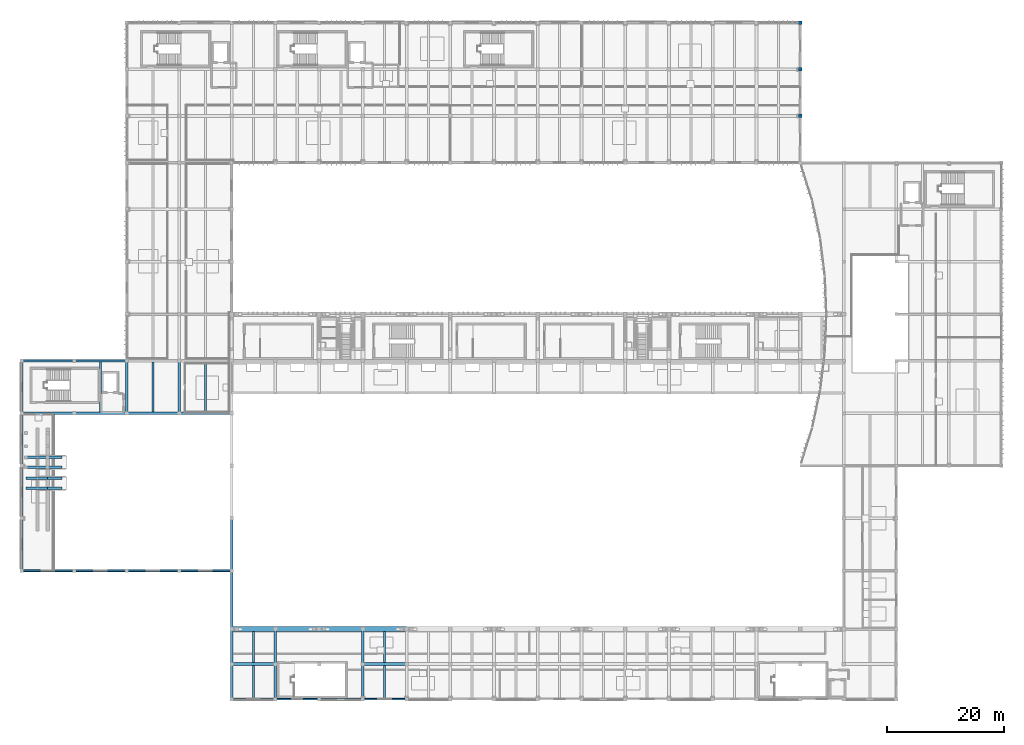
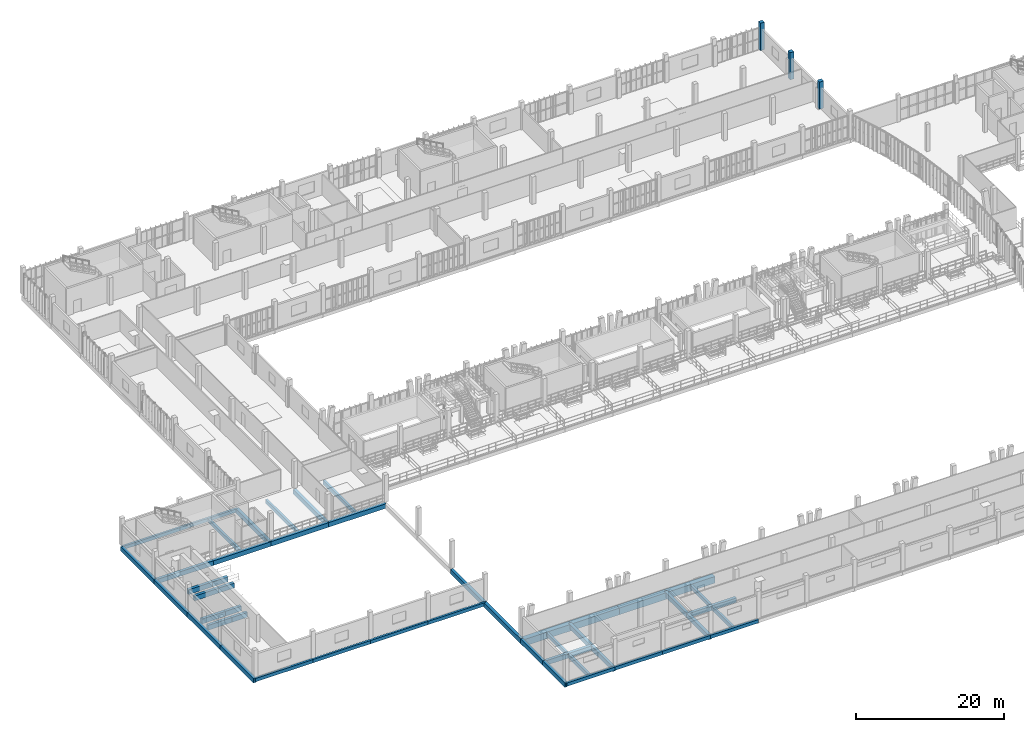
# One storey, part 7 of 81: 49 beams, 3 columns.
"""IFC4 building model written with IfcOpenShell, lengths in metres."""

from ifc_helpers import new_model, si_unit, direction, frame, origin, origin_2d, place, context, subcontext, project, spatial, rectangle, extrude, material, material_profile, profile_set, type_object, element, save


model = new_model("IFC4")

# Units and contexts
model_context = context("Model", 3, precision=1e-05, world=origin(), true_north=direction((0.0, 1.0)))
body_context = subcontext(model_context, "Body", "Model", "MODEL_VIEW")
ifc_project = project(units=[si_unit("LENGTHUNIT", "METRE"), si_unit("AREAUNIT", "SQUARE_METRE"), si_unit("VOLUMEUNIT", "CUBIC_METRE"), si_unit("PLANEANGLEUNIT", "RADIAN"), si_unit("MASSUNIT", "GRAM", prefix="KILO")], contexts=[model_context])

# Site, building, storey
site_placement = place(None, origin())
site = spatial("IfcSite", under=ifc_project, at=site_placement, CompositionType="ELEMENT")
building_placement = place(site_placement, origin())
building = spatial("IfcBuilding", under=site, at=building_placement, Name="Vourika Railside Aquatics Centre", CompositionType="ELEMENT")
storey_placement = place(building_placement, frame((0.0, 0.0, 4.800048828125)))
storey = spatial("IfcBuildingStorey", under=building, at=storey_placement, Name="L01", CompositionType="ELEMENT", Elevation=4.800048828125)

# Columns
ifc_material_1 = material(Name="Concrete C40/50", Category="concrete")
ifc_material_profile_1 = material_profile(ifc_material_1, rectangle(XDim=0.60009765625, YDim=0.60009765625, at=origin_2d()), Name="RC 600x600")
ifc_profile_set_1 = profile_set([ifc_material_profile_1], Name="Concrete C40/50")
column_type = type_object("IfcColumnType", Name="COL-RC600", PredefinedType="COLUMN", material=ifc_profile_set_1)
for number, where, z_axis, x_axis, name in (
    (1, (133.5, 100.0, 0.0), (0.0, 0.0, 1.0), (1.0, 0.0, 0.0), "Column col:L01:1335_1000"),
    (2, (133.5, 108.0, 0.0), (0.0, 0.0, 1.0), (1.0, 0.0, 0.0), "Column col:L01:1335_1080"),
    (3, (133.5, 116.0, 0.0), (0.0, 0.0, 1.0), (1.0, 0.0, 0.0), "Column col:L01:1335_1160"),
):
    element("IfcColumn", number, at=place(storey_placement, frame(where, z_axis=z_axis, x_axis=x_axis)), inside=storey, type_object=column_type, Name=name, PredefinedType="COLUMN", context=body_context, shape_type="SweptSolid", body=[
        extrude(rectangle(XDim=0.60009765625, YDim=0.60009765625, at=origin_2d()), origin(), (0.0, 0.0, 1.0), 4.5),
    ])

# Beams
ifc_material_2 = material(Name="Concrete C35/45", Category="concrete")
ifc_material_profile_2 = material_profile(ifc_material_2, rectangle(XDim=0.449951171875, YDim=0.75, at=origin_2d()), Name="RC 450x750")
ifc_profile_set_2 = profile_set([ifc_material_profile_2], Name="Concrete C35/45")
beam_type_1 = type_object("IfcBeamType", Name="BM-GIRD-450x750", PredefinedType="BEAM", material=ifc_profile_set_2)
for number, where, z_axis, x_axis, name in (
    (4, (36.0, 6.0, -0.675048828125), (1.0, 0.0, 0.0), (0.0, 1.0, 0.0), "Floor Beam GX-L01-016"),
    (5, (58.5, 6.0, -0.675048828125), (1.0, 0.0, 0.0), (0.0, 1.0, 0.0), "Floor Beam GX-L01-017"),
):
    element("IfcBeam", number, at=place(storey_placement, frame(where, z_axis=z_axis, x_axis=x_axis)), inside=storey, type_object=beam_type_1, Name=name, PredefinedType="BEAM", context=body_context, shape_type="SweptSolid", body=[
        extrude(rectangle(XDim=0.449951171875, YDim=0.75, at=origin_2d()), origin(), (0.0, 0.0, 1.0), 7.5),
    ])
for number, where, z_axis, x_axis, name in (
    (6, (0.0, 49.0, -0.675048828125), (1.0, 0.0, 0.0), (0.0, 1.0, 0.0), "Floor Beam GX-L01-051"),
    (7, (9.0, 49.0, -0.675048828125), (1.0, 0.0, 0.0), (0.0, 1.0, 0.0), "Floor Beam GX-L01-052"),
    (8, (18.0, 49.0, -0.675048828125), (1.0, 0.0, 0.0), (0.0, 1.0, 0.0), "Floor Beam GX-L01-053"),
    (9, (27.0, 49.0, -0.675048828125), (1.0, 0.0, 0.0), (0.0, 1.0, 0.0), "Floor Beam GX-L01-054"),
    (10, (0.0, 22.0, -0.675048828125), (0.0, 1.0, 0.0), (-1.0, 0.0, 0.0), "Floor Girder GY-L01-169"),
    (11, (0.0, 31.0, -0.675048828125), (0.0, 1.0, 0.0), (-1.0, 0.0, 0.0), "Floor Girder GY-L01-170"),
    (12, (0.0, 40.0, -0.675048828125), (0.0, 1.0, 0.0), (-1.0, 0.0, 0.0), "Floor Girder GY-L01-171"),
    (13, (0.0, 49.0, -0.675048828125), (0.0, 1.0, 0.0), (-1.0, 0.0, 0.0), "Floor Girder GY-L01-172"),
    (14, (18.0, 49.0, -0.675048828125), (0.0, 1.0, 0.0), (-1.0, 0.0, 0.0), "Floor Girder GY-L01-173"),
    (15, (27.0, 49.0, -0.675048828125), (0.0, 1.0, 0.0), (-1.0, 0.0, 0.0), "Floor Girder GY-L01-181"),
):
    element("IfcBeam", number, at=place(storey_placement, frame(where, z_axis=z_axis, x_axis=x_axis)), inside=storey, type_object=beam_type_1, Name=name, PredefinedType="BEAM", context=body_context, shape_type="SweptSolid", body=[
        extrude(rectangle(XDim=0.449951171875, YDim=0.75, at=origin_2d()), origin(), (0.0, 0.0, 1.0), 9.0),
    ])
for number, where, z_axis, x_axis, name in (
    (16, (36.0, 0.0, -0.675048828125), (0.0, 1.0, 0.0), (-1.0, 0.0, 0.0), "Floor Girder GY-L01-188"),
    (17, (36.0, 6.0, -0.675048828125), (0.0, 1.0, 0.0), (-1.0, 0.0, 0.0), "Floor Girder GY-L01-189"),
):
    element("IfcBeam", number, at=place(storey_placement, frame(where, z_axis=z_axis, x_axis=x_axis)), inside=storey, type_object=beam_type_1, Name=name, PredefinedType="BEAM", context=body_context, shape_type="SweptSolid", body=[
        extrude(rectangle(XDim=0.449951171875, YDim=0.75, at=origin_2d()), origin(), (0.0, 0.0, 1.0), 6.0),
    ])
beam_1_placement = place(storey_placement, frame((36.0, 12.0, -0.675048828125), z_axis=(0.0, 1.0, 0.0), x_axis=(-1.0, 0.0, 0.0)))
element("IfcBeam", 18, at=beam_1_placement, inside=storey, type_object=beam_type_1, Name="Floor Girder GY-L01-190", PredefinedType="BEAM", context=body_context, shape_type="SweptSolid", body=[
    extrude(rectangle(XDim=0.449951171875, YDim=0.75, at=origin_2d()), origin(), (0.0, 0.0, 1.0), 10.0),
])
beam_2_placement = place(storey_placement, frame((36.0, 22.0, -0.675048828125), z_axis=(0.0, 1.0, 0.0), x_axis=(-1.0, 0.0, 0.0)))
element("IfcBeam", 19, at=beam_2_placement, inside=storey, type_object=beam_type_1, Name="Floor Girder GY-L01-191", PredefinedType="BEAM", context=body_context, shape_type="SweptSolid", body=[
    extrude(rectangle(XDim=0.449951171875, YDim=0.75, at=origin_2d()), origin(), (0.0, 0.0, 1.0), 9.0),
])
for number, where, z_axis, x_axis, name in (
    (20, (43.5, 0.0, -0.675048828125), (0.0, 1.0, 0.0), (-1.0, 0.0, 0.0), "Floor Girder GY-L01-202"),
    (21, (43.5, 6.0, -0.675048828125), (0.0, 1.0, 0.0), (-1.0, 0.0, 0.0), "Floor Girder GY-L01-203"),
    (22, (58.5, 0.0, -0.675048828125), (0.0, 1.0, 0.0), (-1.0, 0.0, 0.0), "Floor Girder GY-L01-210"),
    (23, (58.5, 6.0, -0.675048828125), (0.0, 1.0, 0.0), (-1.0, 0.0, 0.0), "Floor Girder GY-L01-211"),
):
    element("IfcBeam", number, at=place(storey_placement, frame(where, z_axis=z_axis, x_axis=x_axis)), inside=storey, type_object=beam_type_1, Name=name, PredefinedType="BEAM", context=body_context, shape_type="SweptSolid", body=[
        extrude(rectangle(XDim=0.449951171875, YDim=0.75, at=origin_2d()), origin(), (0.0, 0.0, 1.0), 6.0),
    ])
ifc_material_profile_3 = material_profile(ifc_material_2, rectangle(XDim=0.449951171875, YDim=0.800048828125, at=origin_2d()), Name="RC 450x800")
ifc_profile_set_3 = profile_set([ifc_material_profile_3], Name="Concrete C35/45")
beam_type_2 = type_object("IfcBeamType", Name="BM-RAKER-450x800", PredefinedType="BEAM", material=ifc_profile_set_3)
beam_3_placement = place(storey_placement, frame((0.719970703125, 36.14990234375, -0.7099609375), z_axis=(1.0, 0.0, 0.0), x_axis=(0.0, 1.0, 0.0)))
element("IfcBeam", 24, at=beam_3_placement, inside=storey, type_object=beam_type_2, Name="Diving Platform 5.0 m Back-Span Beam 1", PredefinedType="BEAM", context=body_context, shape_type="SweptSolid", body=[
    extrude(rectangle(XDim=0.449951171875, YDim=0.800048828125, at=origin_2d()), origin(), (0.0, 0.0, 1.0), 3.72998046875),
])
beam_4_placement = place(storey_placement, frame((4.449951171875, 36.14990234375, -0.7099609375), z_axis=(1.0, 0.0, 0.0), x_axis=(0.0, 1.0, 0.0)))
element("IfcBeam", 25, at=beam_4_placement, inside=storey, type_object=beam_type_2, Name="Diving Platform 5.0 m Cantilever Bracket Beam 1", PredefinedType="BEAM", context=body_context, shape_type="SweptSolid", body=[
    extrude(rectangle(XDim=0.449951171875, YDim=0.800048828125, at=origin_2d()), origin(), (0.0, 0.0, 1.0), 2.449951171875),
])
beam_5_placement = place(storey_placement, frame((0.719970703125, 37.85009765625, -0.7099609375), z_axis=(1.0, 0.0, 0.0), x_axis=(0.0, 1.0, 0.0)))
element("IfcBeam", 26, at=beam_5_placement, inside=storey, type_object=beam_type_2, Name="Diving Platform 5.0 m Back-Span Beam 2", PredefinedType="BEAM", context=body_context, shape_type="SweptSolid", body=[
    extrude(rectangle(XDim=0.449951171875, YDim=0.800048828125, at=origin_2d()), origin(), (0.0, 0.0, 1.0), 3.72998046875),
])
beam_6_placement = place(storey_placement, frame((4.449951171875, 37.85009765625, -0.7099609375), z_axis=(1.0, 0.0, 0.0), x_axis=(0.0, 1.0, 0.0)))
element("IfcBeam", 27, at=beam_6_placement, inside=storey, type_object=beam_type_2, Name="Diving Platform 5.0 m Cantilever Bracket Beam 2", PredefinedType="BEAM", context=body_context, shape_type="SweptSolid", body=[
    extrude(rectangle(XDim=0.449951171875, YDim=0.800048828125, at=origin_2d()), origin(), (0.0, 0.0, 1.0), 2.449951171875),
])
beam_7_placement = place(storey_placement, frame((0.719970703125, 39.75, 1.9599609375), z_axis=(1.0, 0.0, 0.0), x_axis=(0.0, 1.0, 0.0)))
element("IfcBeam", 28, at=beam_7_placement, inside=storey, type_object=beam_type_2, Name="Diving Platform 7.5 m Back-Span Beam 1", PredefinedType="BEAM", context=body_context, shape_type="SweptSolid", body=[
    extrude(rectangle(XDim=0.449951171875, YDim=0.800048828125, at=origin_2d()), origin(), (0.0, 0.0, 1.0), 3.72998046875),
])
beam_8_placement = place(storey_placement, frame((4.449951171875, 39.75, 1.9599609375), z_axis=(1.0, 0.0, 0.0), x_axis=(0.0, 1.0, 0.0)))
element("IfcBeam", 29, at=beam_8_placement, inside=storey, type_object=beam_type_2, Name="Diving Platform 7.5 m Cantilever Bracket Beam 1", PredefinedType="BEAM", context=body_context, shape_type="SweptSolid", body=[
    extrude(rectangle(XDim=0.449951171875, YDim=0.800048828125, at=origin_2d()), origin(), (0.0, 0.0, 1.0), 2.449951171875),
])
beam_9_placement = place(storey_placement, frame((0.719970703125, 41.449951171875, 1.9599609375), z_axis=(1.0, 0.0, 0.0), x_axis=(0.0, 1.0, 0.0)))
element("IfcBeam", 30, at=beam_9_placement, inside=storey, type_object=beam_type_2, Name="Diving Platform 7.5 m Back-Span Beam 2", PredefinedType="BEAM", context=body_context, shape_type="SweptSolid", body=[
    extrude(rectangle(XDim=0.449951171875, YDim=0.800048828125, at=origin_2d()), origin(), (0.0, 0.0, 1.0), 3.72998046875),
])
beam_10_placement = place(storey_placement, frame((4.449951171875, 41.449951171875, 1.9599609375), z_axis=(1.0, 0.0, 0.0), x_axis=(0.0, 1.0, 0.0)))
element("IfcBeam", 31, at=beam_10_placement, inside=storey, type_object=beam_type_2, Name="Diving Platform 7.5 m Cantilever Bracket Beam 2", PredefinedType="BEAM", context=body_context, shape_type="SweptSolid", body=[
    extrude(rectangle(XDim=0.449951171875, YDim=0.800048828125, at=origin_2d()), origin(), (0.0, 0.0, 1.0), 2.449951171875),
])
ifc_material_profile_4 = material_profile(ifc_material_1, rectangle(XDim=0.800048828125, YDim=1.10009765625, at=origin_2d()), Name="RC 800x1100")
ifc_profile_set_4 = profile_set([ifc_material_profile_4], Name="Concrete C40/50")
beam_type_3 = type_object("IfcBeamType", Name="BM-RING-800x1100", PredefinedType="BEAM", material=ifc_profile_set_4)
for number, where, z_axis, x_axis, name in (
    (32, (36.0, 12.0, -0.85009765625), (1.0, 0.0, 0.0), (0.0, 1.0, 0.0), "Floor Beam GX-L01-027"),
    (33, (43.5, 12.0, -0.85009765625), (1.0, 0.0, 0.0), (0.0, 1.0, 0.0), "Floor Beam GX-L01-028"),
    (34, (51.0, 12.0, -0.85009765625), (1.0, 0.0, 0.0), (0.0, 1.0, 0.0), "Floor Beam GX-L01-029"),
    (35, (58.5, 12.0, -0.85009765625), (1.0, 0.0, 0.0), (0.0, 1.0, 0.0), "Floor Beam GX-L01-030"),
):
    element("IfcBeam", number, at=place(storey_placement, frame(where, z_axis=z_axis, x_axis=x_axis)), inside=storey, type_object=beam_type_3, Name=name, PredefinedType="BEAM", context=body_context, shape_type="SweptSolid", body=[
        extrude(rectangle(XDim=0.800048828125, YDim=1.10009765625, at=origin_2d()), origin(), (0.0, 0.0, 1.0), 7.5),
    ])
ifc_material_profile_5 = material_profile(ifc_material_2, rectangle(XDim=0.35009765625, YDim=0.60009765625, at=origin_2d()), Name="RC 350x600")
ifc_profile_set_5 = profile_set([ifc_material_profile_5], Name="Concrete C35/45")
beam_type_4 = type_object("IfcBeamType", Name="BM-SEC-350x600", PredefinedType="JOIST", material=ifc_profile_set_5)
for number, where, z_axis, x_axis, name in (
    (36, (39.75, 0.159912109375, -0.60009765625), (0.0, 1.0, 0.0), (-1.0, 0.0, 0.0), "Secondary Joist JY-L01-298"),
    (37, (62.25, 0.159912109375, -0.60009765625), (0.0, 1.0, 0.0), (-1.0, 0.0, 0.0), "Secondary Joist JY-L01-299"),
):
    element("IfcBeam", number, at=place(storey_placement, frame(where, z_axis=z_axis, x_axis=x_axis)), inside=storey, type_object=beam_type_4, Name=name, PredefinedType="JOIST", context=body_context, shape_type="SweptSolid", body=[
        extrude(rectangle(XDim=0.35009765625, YDim=0.60009765625, at=origin_2d()), origin(), (0.0, 0.0, 1.0), 5.614990234375),
    ])
for number, where, z_axis, x_axis, name in (
    (38, (39.75, 6.22509765625, -0.60009765625), (0.0, 1.0, 0.0), (-1.0, 0.0, 0.0), "Secondary Joist JY-L01-309"),
    (39, (62.25, 6.22509765625, -0.60009765625), (0.0, 1.0, 0.0), (-1.0, 0.0, 0.0), "Secondary Joist JY-L01-310"),
):
    element("IfcBeam", number, at=place(storey_placement, frame(where, z_axis=z_axis, x_axis=x_axis)), inside=storey, type_object=beam_type_4, Name=name, PredefinedType="JOIST", context=body_context, shape_type="SweptSolid", body=[
        extrude(rectangle(XDim=0.35009765625, YDim=0.60009765625, at=origin_2d()), origin(), (0.0, 0.0, 1.0), 5.375),
    ])
for number, where, z_axis, x_axis, name in (
    (40, (13.5, 49.22509765625, -0.60009765625), (0.0, 1.0, 0.0), (-1.0, 0.0, 0.0), "Secondary Joist JY-L01-326"),
    (41, (22.5, 49.22509765625, -0.60009765625), (0.0, 1.0, 0.0), (-1.0, 0.0, 0.0), "Secondary Joist JY-L01-327"),
    (42, (31.5, 49.22509765625, -0.60009765625), (0.0, 1.0, 0.0), (-1.0, 0.0, 0.0), "Secondary Joist JY-L01-328"),
):
    element("IfcBeam", number, at=place(storey_placement, frame(where, z_axis=z_axis, x_axis=x_axis)), inside=storey, type_object=beam_type_4, Name=name, PredefinedType="JOIST", context=body_context, shape_type="SweptSolid", body=[
        extrude(rectangle(XDim=0.35009765625, YDim=0.60009765625, at=origin_2d()), origin(), (0.0, 0.0, 1.0), 8.614990234375),
    ])
ifc_material_profile_6 = material_profile(ifc_material_2, rectangle(XDim=0.320068359375, YDim=0.550048828125, at=origin_2d()), Name="RC 320x550")
ifc_profile_set_6 = profile_set([ifc_material_profile_6], Name="Concrete C35/45")
beam_type_5 = type_object("IfcBeamType", Name="BM-SPAN-320x550", PredefinedType="SPANDREL", material=ifc_profile_set_6)
for number, where, z_axis, x_axis, name in (
    (43, (36.0, 0.0, -0.574951171875), (1.0, 0.0, 0.0), (0.0, 1.0, 0.0), "Floor Beam GX-L01-001"),
    (44, (43.5, 0.0, -0.574951171875), (1.0, 0.0, 0.0), (0.0, 1.0, 0.0), "Floor Beam GX-L01-002"),
    (45, (51.0, 0.0, -0.574951171875), (1.0, 0.0, 0.0), (0.0, 1.0, 0.0), "Floor Beam GX-L01-003"),
    (46, (58.5, 0.0, -0.574951171875), (1.0, 0.0, 0.0), (0.0, 1.0, 0.0), "Floor Beam GX-L01-004"),
):
    element("IfcBeam", number, at=place(storey_placement, frame(where, z_axis=z_axis, x_axis=x_axis)), inside=storey, type_object=beam_type_5, Name=name, PredefinedType="SPANDREL", context=body_context, shape_type="SweptSolid", body=[
        extrude(rectangle(XDim=0.320068359375, YDim=0.550048828125, at=origin_2d()), origin(), (0.0, 0.0, 1.0), 7.5),
    ])
for number, where, z_axis, x_axis, name in (
    (47, (0.0, 22.0, -0.574951171875), (1.0, 0.0, 0.0), (0.0, 1.0, 0.0), "Floor Beam GX-L01-042"),
    (48, (9.0, 22.0, -0.574951171875), (1.0, 0.0, 0.0), (0.0, 1.0, 0.0), "Floor Beam GX-L01-043"),
    (49, (18.0, 22.0, -0.574951171875), (1.0, 0.0, 0.0), (0.0, 1.0, 0.0), "Floor Beam GX-L01-044"),
    (50, (27.0, 22.0, -0.574951171875), (1.0, 0.0, 0.0), (0.0, 1.0, 0.0), "Floor Beam GX-L01-045"),
    (51, (0.0, 58.0, -0.574951171875), (1.0, 0.0, 0.0), (0.0, 1.0, 0.0), "Floor Beam GX-L01-058"),
    (52, (9.0, 58.0, -0.574951171875), (1.0, 0.0, 0.0), (0.0, 1.0, 0.0), "Floor Beam GX-L01-059"),
):
    element("IfcBeam", number, at=place(storey_placement, frame(where, z_axis=z_axis, x_axis=x_axis)), inside=storey, type_object=beam_type_5, Name=name, PredefinedType="SPANDREL", context=body_context, shape_type="SweptSolid", body=[
        extrude(rectangle(XDim=0.320068359375, YDim=0.550048828125, at=origin_2d()), origin(), (0.0, 0.0, 1.0), 9.0),
    ])

save(model, "model.ifc")
